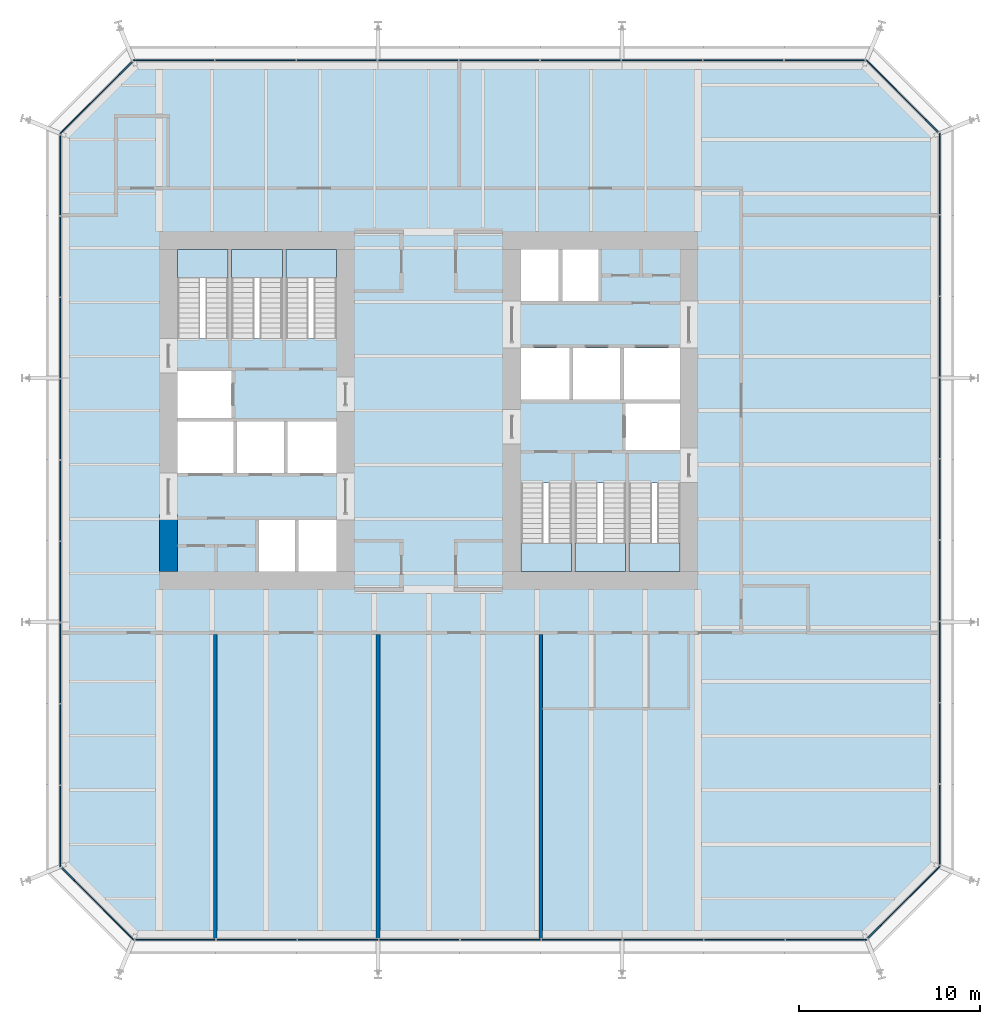
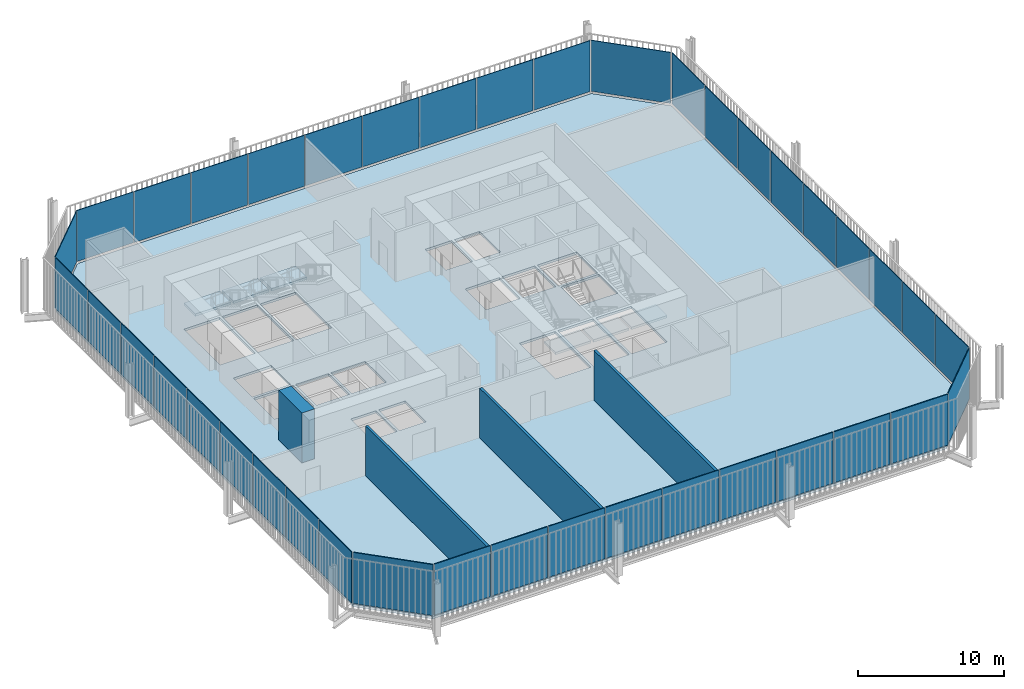
# One storey, part 15 of 20: 40 plates, 7 slabs, 4 walls, 14 elements without a shape of their own.
"""IFC4 building model written with IfcOpenShell, lengths in metres."""

from ifc_helpers import new_model, si_unit, direction, frame, frame_2d, origin, place, context, subcontext, project, spatial, polyline, rectangle, outline, extrude, material, layer, layer_set, type_object, element, aggregate, save


model = new_model("IFC4")

# Units and contexts
model_context = context("Model", 3, precision=1e-05, world=origin(), true_north=direction((0.0, 1.0)))
body_context = subcontext(model_context, "Body", "Model", "MODEL_VIEW")
ifc_project = project(units=[si_unit("LENGTHUNIT", "METRE"), si_unit("AREAUNIT", "SQUARE_METRE"), si_unit("VOLUMEUNIT", "CUBIC_METRE"), si_unit("PLANEANGLEUNIT", "RADIAN"), si_unit("MASSUNIT", "GRAM", prefix="KILO")], contexts=[model_context])

# Site, building, storey
site_placement = place(None, origin())
site = spatial("IfcSite", under=ifc_project, at=site_placement, CompositionType="ELEMENT")
building_placement = place(site_placement, origin())
building = spatial("IfcBuilding", under=site, at=building_placement, Name="Millrace Tower", CompositionType="ELEMENT")
storey_placement = place(building_placement, frame((0.0, 0.0, 108.39990234375)))
storey = spatial("IfcBuildingStorey", under=building, at=storey_placement, Name="L24", CompositionType="ELEMENT", Elevation=108.39990234375)

# Curtain wall, plate
ifc_material_1 = material(Name="Aluminium and glass", Category="aluminium")
ifc_layer_1 = layer(ifc_material_1, 0.14990234375)
ifc_layer_set_1 = layer_set([ifc_layer_1], Name="Aluminium and glass")
curtain_wall_type = type_object("IfcCurtainWallType", Name="CW-3 telecom floor curtain wall", PredefinedType="NOTDEFINED", material=ifc_layer_set_1)
placement_1 = place(storey_placement, origin())
curtain_wall_1 = element("IfcCurtainWall", 1, at=placement_1, inside=storey, type_object=curtain_wall_type, Name="Curtain wall B-F01 L24", PredefinedType="NOTDEFINED")
ifc_material_2 = material(Name="Glass", Category="glass")
ifc_layer_2 = layer(ifc_material_2, 0.06005859375)
ifc_layer_set_2 = layer_set([ifc_layer_2], Name="Glass")
plate_type = type_object("IfcPlateType", Name="CW-3 telecom floor curtain wall triple-glazed panel with spandrel", PredefinedType="CURTAIN_PANEL", material=ifc_layer_set_2)
placement_2 = place(storey_placement, frame((0.0, 0.0, 0.150146484375)))
plate_1 = element("IfcPlate", 2, at=placement_2, type_object=plate_type, Name="CW3 panel B-F01.1", PredefinedType="CURTAIN_PANEL", context=body_context, shape_type="SweptSolid", body=[
    extrude(outline(polyline([(-20.328369140625, -25.3203125), (-16.343505859375, -29.304931640625), (-16.318603515625, -29.2451171875), (-20.285888671875, -25.27783203125), (-20.328369140625, -25.3203125)])), origin(), (0.0, 0.0, 1.0), 4.25),
])
aggregate(curtain_wall_1, [plate_1])

# Curtain wall, plates
curtain_wall_2 = element("IfcCurtainWall", 3, at=placement_1, inside=storey, type_object=curtain_wall_type, Name="Curtain wall B-F02 L24", PredefinedType="NOTDEFINED")
plate_2 = element("IfcPlate", 4, at=placement_2, type_object=plate_type, Name="CW3 panel B-F02.1", PredefinedType="CURTAIN_PANEL", context=body_context, shape_type="SweptSolid", body=[
    extrude(outline(polyline([(-16.235107421875, -29.304931640625), (-11.800048828125, -29.304931640625), (-11.800048828125, -29.2451171875), (-16.235107421875, -29.2451171875), (-16.235107421875, -29.304931640625)])), origin(), (0.0, 0.0, 1.0), 4.25),
])
plate_3 = element("IfcPlate", 5, at=placement_2, type_object=plate_type, Name="CW3 panel B-F02.2", PredefinedType="CURTAIN_PANEL", context=body_context, shape_type="SweptSolid", body=[
    extrude(outline(polyline([(-11.735107421875, -29.304931640625), (-7.300048828125, -29.304931640625), (-7.300048828125, -29.2451171875), (-11.735107421875, -29.2451171875), (-11.735107421875, -29.304931640625)])), origin(), (0.0, 0.0, 1.0), 4.25),
])
plate_4 = element("IfcPlate", 6, at=placement_2, type_object=plate_type, Name="CW3 panel B-F02.3", PredefinedType="CURTAIN_PANEL", context=body_context, shape_type="SweptSolid", body=[
    extrude(outline(polyline([(-7.235107421875, -29.304931640625), (-2.800048828125, -29.304931640625), (-2.800048828125, -29.2451171875), (-7.235107421875, -29.2451171875), (-7.235107421875, -29.304931640625)])), origin(), (0.0, 0.0, 1.0), 4.25),
])
plate_5 = element("IfcPlate", 7, at=placement_2, type_object=plate_type, Name="CW3 panel B-F02.4", PredefinedType="CURTAIN_PANEL", context=body_context, shape_type="SweptSolid", body=[
    extrude(outline(polyline([(-2.735107421875, -29.304931640625), (1.699951171875, -29.304931640625), (1.699951171875, -29.2451171875), (-2.735107421875, -29.2451171875), (-2.735107421875, -29.304931640625)])), origin(), (0.0, 0.0, 1.0), 4.25),
])
plate_6 = element("IfcPlate", 8, at=placement_2, type_object=plate_type, Name="CW3 panel B-F02.5", PredefinedType="CURTAIN_PANEL", context=body_context, shape_type="SweptSolid", body=[
    extrude(outline(polyline([(1.764892578125, -29.304931640625), (6.199951171875, -29.304931640625), (6.199951171875, -29.2451171875), (1.764892578125, -29.2451171875), (1.764892578125, -29.304931640625)])), origin(), (0.0, 0.0, 1.0), 4.25),
])
plate_7 = element("IfcPlate", 9, at=placement_2, type_object=plate_type, Name="CW3 panel B-F02.6", PredefinedType="CURTAIN_PANEL", context=body_context, shape_type="SweptSolid", body=[
    extrude(outline(polyline([(6.264892578125, -29.304931640625), (10.699951171875, -29.304931640625), (10.699951171875, -29.2451171875), (6.264892578125, -29.2451171875), (6.264892578125, -29.304931640625)])), origin(), (0.0, 0.0, 1.0), 4.25),
])
plate_8 = element("IfcPlate", 10, at=placement_2, type_object=plate_type, Name="CW3 panel B-F02.7", PredefinedType="CURTAIN_PANEL", context=body_context, shape_type="SweptSolid", body=[
    extrude(outline(polyline([(10.764892578125, -29.304931640625), (15.199951171875, -29.304931640625), (15.199951171875, -29.2451171875), (10.764892578125, -29.2451171875), (10.764892578125, -29.304931640625)])), origin(), (0.0, 0.0, 1.0), 4.25),
])
plate_9 = element("IfcPlate", 11, at=placement_2, type_object=plate_type, Name="CW3 panel B-F02.8", PredefinedType="CURTAIN_PANEL", context=body_context, shape_type="SweptSolid", body=[
    extrude(outline(polyline([(15.264892578125, -29.304931640625), (19.699951171875, -29.304931640625), (19.699951171875, -29.2451171875), (15.264892578125, -29.2451171875), (15.264892578125, -29.304931640625)])), origin(), (0.0, 0.0, 1.0), 4.25),
])
plate_10 = element("IfcPlate", 12, at=placement_2, type_object=plate_type, Name="CW3 panel B-F02.9", PredefinedType="CURTAIN_PANEL", context=body_context, shape_type="SweptSolid", body=[
    extrude(outline(polyline([(19.764892578125, -29.304931640625), (24.243408203125, -29.304931640625), (24.21875, -29.2451171875), (19.764892578125, -29.2451171875), (19.764892578125, -29.304931640625)])), origin(), (0.0, 0.0, 1.0), 4.25),
])
aggregate(curtain_wall_2, [plate_2, plate_3, plate_4, plate_5, plate_6, plate_7, plate_8, plate_9, plate_10])

# Curtain wall, plate
curtain_wall_3 = element("IfcCurtainWall", 13, at=placement_1, inside=storey, type_object=curtain_wall_type, Name="Curtain wall B-F03 L24", PredefinedType="NOTDEFINED")
plate_11 = element("IfcPlate", 14, at=placement_2, type_object=plate_type, Name="CW3 panel B-F03.1", PredefinedType="CURTAIN_PANEL", context=body_context, shape_type="SweptSolid", body=[
    extrude(outline(polyline([(24.3203125, -29.228271484375), (28.304931640625, -25.243408203125), (28.2451171875, -25.21875), (24.27783203125, -29.185791015625), (24.3203125, -29.228271484375)])), origin(), (0.0, 0.0, 1.0), 4.25),
])
aggregate(curtain_wall_3, [plate_11])

# Curtain wall, plates
curtain_wall_4 = element("IfcCurtainWall", 15, at=placement_1, inside=storey, type_object=curtain_wall_type, Name="Curtain wall B-F04 L24", PredefinedType="NOTDEFINED")
plate_12 = element("IfcPlate", 16, at=placement_2, type_object=plate_type, Name="CW3 panel B-F04.1", PredefinedType="CURTAIN_PANEL", context=body_context, shape_type="SweptSolid", body=[
    extrude(outline(polyline([(28.304931640625, -25.135009765625), (28.304931640625, -20.699951171875), (28.2451171875, -20.699951171875), (28.2451171875, -25.135009765625), (28.304931640625, -25.135009765625)])), origin(), (0.0, 0.0, 1.0), 4.25),
])
plate_13 = element("IfcPlate", 17, at=placement_2, type_object=plate_type, Name="CW3 panel B-F04.2", PredefinedType="CURTAIN_PANEL", context=body_context, shape_type="SweptSolid", body=[
    extrude(outline(polyline([(28.304931640625, -20.635009765625), (28.304931640625, -16.199951171875), (28.2451171875, -16.199951171875), (28.2451171875, -20.635009765625), (28.304931640625, -20.635009765625)])), origin(), (0.0, 0.0, 1.0), 4.25),
])
plate_14 = element("IfcPlate", 18, at=placement_2, type_object=plate_type, Name="CW3 panel B-F04.3", PredefinedType="CURTAIN_PANEL", context=body_context, shape_type="SweptSolid", body=[
    extrude(outline(polyline([(28.304931640625, -16.135009765625), (28.304931640625, -11.699951171875), (28.2451171875, -11.699951171875), (28.2451171875, -16.135009765625), (28.304931640625, -16.135009765625)])), origin(), (0.0, 0.0, 1.0), 4.25),
])
plate_15 = element("IfcPlate", 19, at=placement_2, type_object=plate_type, Name="CW3 panel B-F04.4", PredefinedType="CURTAIN_PANEL", context=body_context, shape_type="SweptSolid", body=[
    extrude(outline(polyline([(28.304931640625, -11.635009765625), (28.304931640625, -7.199951171875), (28.2451171875, -7.199951171875), (28.2451171875, -11.635009765625), (28.304931640625, -11.635009765625)])), origin(), (0.0, 0.0, 1.0), 4.25),
])
plate_16 = element("IfcPlate", 20, at=placement_2, type_object=plate_type, Name="CW3 panel B-F04.5", PredefinedType="CURTAIN_PANEL", context=body_context, shape_type="SweptSolid", body=[
    extrude(outline(polyline([(28.304931640625, -7.135009765625), (28.304931640625, -2.699951171875), (28.2451171875, -2.699951171875), (28.2451171875, -7.135009765625), (28.304931640625, -7.135009765625)])), origin(), (0.0, 0.0, 1.0), 4.25),
])
plate_17 = element("IfcPlate", 21, at=placement_2, type_object=plate_type, Name="CW3 panel B-F04.6", PredefinedType="CURTAIN_PANEL", context=body_context, shape_type="SweptSolid", body=[
    extrude(outline(polyline([(28.304931640625, -2.635009765625), (28.304931640625, 1.800048828125), (28.2451171875, 1.800048828125), (28.2451171875, -2.635009765625), (28.304931640625, -2.635009765625)])), origin(), (0.0, 0.0, 1.0), 4.25),
])
plate_18 = element("IfcPlate", 22, at=placement_2, type_object=plate_type, Name="CW3 panel B-F04.7", PredefinedType="CURTAIN_PANEL", context=body_context, shape_type="SweptSolid", body=[
    extrude(outline(polyline([(28.304931640625, 1.864990234375), (28.304931640625, 6.300048828125), (28.2451171875, 6.300048828125), (28.2451171875, 1.864990234375), (28.304931640625, 1.864990234375)])), origin(), (0.0, 0.0, 1.0), 4.25),
])
plate_19 = element("IfcPlate", 23, at=placement_2, type_object=plate_type, Name="CW3 panel B-F04.8", PredefinedType="CURTAIN_PANEL", context=body_context, shape_type="SweptSolid", body=[
    extrude(outline(polyline([(28.304931640625, 6.364990234375), (28.304931640625, 10.800048828125), (28.2451171875, 10.800048828125), (28.2451171875, 6.364990234375), (28.304931640625, 6.364990234375)])), origin(), (0.0, 0.0, 1.0), 4.25),
])
plate_20 = element("IfcPlate", 24, at=placement_2, type_object=plate_type, Name="CW3 panel B-F04.9", PredefinedType="CURTAIN_PANEL", context=body_context, shape_type="SweptSolid", body=[
    extrude(outline(polyline([(28.304931640625, 10.864990234375), (28.304931640625, 15.343505859375), (28.2451171875, 15.318603515625), (28.2451171875, 10.864990234375), (28.304931640625, 10.864990234375)])), origin(), (0.0, 0.0, 1.0), 4.25),
])
aggregate(curtain_wall_4, [plate_12, plate_13, plate_14, plate_15, plate_16, plate_17, plate_18, plate_19, plate_20])

# Curtain wall, plate
curtain_wall_5 = element("IfcCurtainWall", 25, at=placement_1, inside=storey, type_object=curtain_wall_type, Name="Curtain wall B-F05 L24", PredefinedType="NOTDEFINED")
plate_21 = element("IfcPlate", 26, at=placement_2, type_object=plate_type, Name="CW3 panel B-F05.1", PredefinedType="CURTAIN_PANEL", context=body_context, shape_type="SweptSolid", body=[
    extrude(outline(polyline([(28.228271484375, 15.420166015625), (24.243408203125, 19.405029296875), (24.21875, 19.344970703125), (28.185791015625, 15.377685546875), (28.228271484375, 15.420166015625)])), origin(), (0.0, 0.0, 1.0), 4.25),
])
aggregate(curtain_wall_5, [plate_21])

# Curtain wall, plates
curtain_wall_6 = element("IfcCurtainWall", 27, at=placement_1, inside=storey, type_object=curtain_wall_type, Name="Curtain wall B-F06 L24", PredefinedType="NOTDEFINED")
plate_22 = element("IfcPlate", 28, at=placement_2, type_object=plate_type, Name="CW3 panel B-F06.1", PredefinedType="CURTAIN_PANEL", context=body_context, shape_type="SweptSolid", body=[
    extrude(outline(polyline([(24.135009765625, 19.405029296875), (19.699951171875, 19.405029296875), (19.699951171875, 19.344970703125), (24.135009765625, 19.344970703125), (24.135009765625, 19.405029296875)])), origin(), (0.0, 0.0, 1.0), 4.25),
])
plate_23 = element("IfcPlate", 29, at=placement_2, type_object=plate_type, Name="CW3 panel B-F06.2", PredefinedType="CURTAIN_PANEL", context=body_context, shape_type="SweptSolid", body=[
    extrude(outline(polyline([(19.635009765625, 19.405029296875), (15.199951171875, 19.405029296875), (15.199951171875, 19.344970703125), (19.635009765625, 19.344970703125), (19.635009765625, 19.405029296875)])), origin(), (0.0, 0.0, 1.0), 4.25),
])
plate_24 = element("IfcPlate", 30, at=placement_2, type_object=plate_type, Name="CW3 panel B-F06.3", PredefinedType="CURTAIN_PANEL", context=body_context, shape_type="SweptSolid", body=[
    extrude(outline(polyline([(15.135009765625, 19.405029296875), (10.699951171875, 19.405029296875), (10.699951171875, 19.344970703125), (15.135009765625, 19.344970703125), (15.135009765625, 19.405029296875)])), origin(), (0.0, 0.0, 1.0), 4.25),
])
plate_25 = element("IfcPlate", 31, at=placement_2, type_object=plate_type, Name="CW3 panel B-F06.4", PredefinedType="CURTAIN_PANEL", context=body_context, shape_type="SweptSolid", body=[
    extrude(outline(polyline([(10.635009765625, 19.405029296875), (6.199951171875, 19.405029296875), (6.199951171875, 19.344970703125), (10.635009765625, 19.344970703125), (10.635009765625, 19.405029296875)])), origin(), (0.0, 0.0, 1.0), 4.25),
])
plate_26 = element("IfcPlate", 32, at=placement_2, type_object=plate_type, Name="CW3 panel B-F06.5", PredefinedType="CURTAIN_PANEL", context=body_context, shape_type="SweptSolid", body=[
    extrude(outline(polyline([(6.135009765625, 19.405029296875), (1.699951171875, 19.405029296875), (1.699951171875, 19.344970703125), (6.135009765625, 19.344970703125), (6.135009765625, 19.405029296875)])), origin(), (0.0, 0.0, 1.0), 4.25),
])
plate_27 = element("IfcPlate", 33, at=placement_2, type_object=plate_type, Name="CW3 panel B-F06.6", PredefinedType="CURTAIN_PANEL", context=body_context, shape_type="SweptSolid", body=[
    extrude(outline(polyline([(1.635009765625, 19.405029296875), (-2.800048828125, 19.405029296875), (-2.800048828125, 19.344970703125), (1.635009765625, 19.344970703125), (1.635009765625, 19.405029296875)])), origin(), (0.0, 0.0, 1.0), 4.25),
])
plate_28 = element("IfcPlate", 34, at=placement_2, type_object=plate_type, Name="CW3 panel B-F06.7", PredefinedType="CURTAIN_PANEL", context=body_context, shape_type="SweptSolid", body=[
    extrude(outline(polyline([(-2.864990234375, 19.405029296875), (-7.300048828125, 19.405029296875), (-7.300048828125, 19.344970703125), (-2.864990234375, 19.344970703125), (-2.864990234375, 19.405029296875)])), origin(), (0.0, 0.0, 1.0), 4.25),
])
plate_29 = element("IfcPlate", 35, at=placement_2, type_object=plate_type, Name="CW3 panel B-F06.8", PredefinedType="CURTAIN_PANEL", context=body_context, shape_type="SweptSolid", body=[
    extrude(outline(polyline([(-7.364990234375, 19.405029296875), (-11.800048828125, 19.405029296875), (-11.800048828125, 19.344970703125), (-7.364990234375, 19.344970703125), (-7.364990234375, 19.405029296875)])), origin(), (0.0, 0.0, 1.0), 4.25),
])
plate_30 = element("IfcPlate", 36, at=placement_2, type_object=plate_type, Name="CW3 panel B-F06.9", PredefinedType="CURTAIN_PANEL", context=body_context, shape_type="SweptSolid", body=[
    extrude(outline(polyline([(-11.864990234375, 19.405029296875), (-16.343505859375, 19.405029296875), (-16.318603515625, 19.344970703125), (-11.864990234375, 19.344970703125), (-11.864990234375, 19.405029296875)])), origin(), (0.0, 0.0, 1.0), 4.25),
])
aggregate(curtain_wall_6, [plate_22, plate_23, plate_24, plate_25, plate_26, plate_27, plate_28, plate_29, plate_30])

# Curtain wall, plate
curtain_wall_7 = element("IfcCurtainWall", 37, at=placement_1, inside=storey, type_object=curtain_wall_type, Name="Curtain wall B-F07 L24", PredefinedType="NOTDEFINED")
plate_31 = element("IfcPlate", 38, at=placement_2, type_object=plate_type, Name="CW3 panel B-F07.1", PredefinedType="CURTAIN_PANEL", context=body_context, shape_type="SweptSolid", body=[
    extrude(outline(polyline([(-16.420166015625, 19.328369140625), (-20.405029296875, 15.343505859375), (-20.344970703125, 15.318603515625), (-16.377685546875, 19.285888671875), (-16.420166015625, 19.328369140625)])), origin(), (0.0, 0.0, 1.0), 4.25),
])
aggregate(curtain_wall_7, [plate_31])

# Curtain wall, plates
curtain_wall_8 = element("IfcCurtainWall", 39, at=placement_1, inside=storey, type_object=curtain_wall_type, Name="Curtain wall B-F08 L24", PredefinedType="NOTDEFINED")
plate_32 = element("IfcPlate", 40, at=placement_2, type_object=plate_type, Name="CW3 panel B-F08.1", PredefinedType="CURTAIN_PANEL", context=body_context, shape_type="SweptSolid", body=[
    extrude(outline(polyline([(-20.405029296875, 15.235107421875), (-20.405029296875, 10.800048828125), (-20.344970703125, 10.800048828125), (-20.344970703125, 15.235107421875), (-20.405029296875, 15.235107421875)])), origin(), (0.0, 0.0, 1.0), 4.25),
])
plate_33 = element("IfcPlate", 41, at=placement_2, type_object=plate_type, Name="CW3 panel B-F08.2", PredefinedType="CURTAIN_PANEL", context=body_context, shape_type="SweptSolid", body=[
    extrude(outline(polyline([(-20.405029296875, 10.735107421875), (-20.405029296875, 6.300048828125), (-20.344970703125, 6.300048828125), (-20.344970703125, 10.735107421875), (-20.405029296875, 10.735107421875)])), origin(), (0.0, 0.0, 1.0), 4.25),
])
plate_34 = element("IfcPlate", 42, at=placement_2, type_object=plate_type, Name="CW3 panel B-F08.3", PredefinedType="CURTAIN_PANEL", context=body_context, shape_type="SweptSolid", body=[
    extrude(outline(polyline([(-20.405029296875, 6.235107421875), (-20.405029296875, 1.800048828125), (-20.344970703125, 1.800048828125), (-20.344970703125, 6.235107421875), (-20.405029296875, 6.235107421875)])), origin(), (0.0, 0.0, 1.0), 4.25),
])
plate_35 = element("IfcPlate", 43, at=placement_2, type_object=plate_type, Name="CW3 panel B-F08.4", PredefinedType="CURTAIN_PANEL", context=body_context, shape_type="SweptSolid", body=[
    extrude(outline(polyline([(-20.405029296875, 1.735107421875), (-20.405029296875, -2.699951171875), (-20.344970703125, -2.699951171875), (-20.344970703125, 1.735107421875), (-20.405029296875, 1.735107421875)])), origin(), (0.0, 0.0, 1.0), 4.25),
])
plate_36 = element("IfcPlate", 44, at=placement_2, type_object=plate_type, Name="CW3 panel B-F08.5", PredefinedType="CURTAIN_PANEL", context=body_context, shape_type="SweptSolid", body=[
    extrude(outline(polyline([(-20.405029296875, -2.764892578125), (-20.405029296875, -7.199951171875), (-20.344970703125, -7.199951171875), (-20.344970703125, -2.764892578125), (-20.405029296875, -2.764892578125)])), origin(), (0.0, 0.0, 1.0), 4.25),
])
plate_37 = element("IfcPlate", 45, at=placement_2, type_object=plate_type, Name="CW3 panel B-F08.6", PredefinedType="CURTAIN_PANEL", context=body_context, shape_type="SweptSolid", body=[
    extrude(outline(polyline([(-20.405029296875, -7.264892578125), (-20.405029296875, -11.699951171875), (-20.344970703125, -11.699951171875), (-20.344970703125, -7.264892578125), (-20.405029296875, -7.264892578125)])), origin(), (0.0, 0.0, 1.0), 4.25),
])
plate_38 = element("IfcPlate", 46, at=placement_2, type_object=plate_type, Name="CW3 panel B-F08.7", PredefinedType="CURTAIN_PANEL", context=body_context, shape_type="SweptSolid", body=[
    extrude(outline(polyline([(-20.405029296875, -11.764892578125), (-20.405029296875, -16.199951171875), (-20.344970703125, -16.199951171875), (-20.344970703125, -11.764892578125), (-20.405029296875, -11.764892578125)])), origin(), (0.0, 0.0, 1.0), 4.25),
])
plate_39 = element("IfcPlate", 47, at=placement_2, type_object=plate_type, Name="CW3 panel B-F08.8", PredefinedType="CURTAIN_PANEL", context=body_context, shape_type="SweptSolid", body=[
    extrude(outline(polyline([(-20.405029296875, -16.264892578125), (-20.405029296875, -20.699951171875), (-20.344970703125, -20.699951171875), (-20.344970703125, -16.264892578125), (-20.405029296875, -16.264892578125)])), origin(), (0.0, 0.0, 1.0), 4.25),
])
plate_40 = element("IfcPlate", 48, at=placement_2, type_object=plate_type, Name="CW3 panel B-F08.9", PredefinedType="CURTAIN_PANEL", context=body_context, shape_type="SweptSolid", body=[
    extrude(outline(polyline([(-20.405029296875, -20.764892578125), (-20.405029296875, -25.243408203125), (-20.344970703125, -25.21875), (-20.344970703125, -20.764892578125), (-20.405029296875, -20.764892578125)])), origin(), (0.0, 0.0, 1.0), 4.25),
])
aggregate(curtain_wall_8, [plate_32, plate_33, plate_34, plate_35, plate_36, plate_37, plate_38, plate_39, plate_40])

# Slab
ifc_material_3 = material(Name="Concrete C35 on steel deck", Category="concrete")
ifc_layer_3 = layer(ifc_material_3, 0.199951171875)
ifc_layer_set_3 = layer_set([ifc_layer_3], Name="Concrete C35 on steel deck")
slab_type_1 = type_object("IfcSlabType", Name="Composite floor slab 200 mm", PredefinedType="FLOOR", material=ifc_layer_set_3)
slab_1_placement = place(storey_placement, frame((0.0, 0.0, -0.199951171875)))
element("IfcSlab", 49, at=slab_1_placement, inside=storey, type_object=slab_type_1, Name="SL-B-L24-S1", PredefinedType="FLOOR", context=body_context, shape_type="SweptSolid", body=[
    extrude(outline(polyline([(-20.300048828125, -25.199951171875), (-16.300048828125, -29.199951171875), (24.199951171875, -29.199951171875), (28.199951171875, -25.199951171875), (28.199951171875, 15.300048828125), (24.199951171875, 19.300048828125), (-16.300048828125, 19.300048828125), (-20.300048828125, 15.300048828125), (-20.300048828125, -25.199951171875)]), holes=[polyline([(-9.39990234375, -8.89990234375), (-7.39990234375, -8.89990234375), (-7.39990234375, -6.050048828125), (-9.39990234375, -6.050048828125), (-9.39990234375, -8.89990234375)]), polyline([(-7.199951171875, -8.89990234375), (-5.10009765625, -8.89990234375), (-5.10009765625, -6.050048828125), (-7.199951171875, -6.050048828125), (-7.199951171875, -8.89990234375)]), polyline([(-13.89990234375, -3.449951171875), (-10.800048828125, -3.449951171875), (-10.800048828125, -0.60009765625), (-13.89990234375, -0.60009765625), (-13.89990234375, -3.449951171875)]), polyline([(-10.60009765625, -3.449951171875), (-8.0, -3.449951171875), (-8.0, -0.60009765625), (-10.60009765625, -0.60009765625), (-10.60009765625, -3.449951171875)]), polyline([(-7.800048828125, -3.449951171875), (-5.10009765625, -3.449951171875), (-5.10009765625, -0.60009765625), (-7.800048828125, -0.60009765625), (-7.800048828125, -3.449951171875)]), polyline([(-13.89990234375, -0.39990234375), (-10.89990234375, -0.39990234375), (-10.89990234375, 2.179931640625), (-13.89990234375, 2.179931640625), (-13.89990234375, -0.39990234375)]), polyline([(-13.89990234375, 4.0), (-11.10009765625, 4.0), (-11.10009765625, 8.89990234375), (-13.89990234375, 8.89990234375), (-13.89990234375, 4.0)]), polyline([(-10.89990234375, 4.0), (-8.10009765625, 4.0), (-8.10009765625, 8.89990234375), (-10.89990234375, 8.89990234375), (-10.89990234375, 4.0)]), polyline([(-7.89990234375, 4.0), (-5.10009765625, 4.0), (-5.10009765625, 8.89990234375), (-7.89990234375, 8.89990234375), (-7.89990234375, 4.0)]), polyline([(7.39990234375, 6.050048828125), (9.39990234375, 6.050048828125), (9.39990234375, 8.89990234375), (7.39990234375, 8.89990234375), (7.39990234375, 6.050048828125)]), polyline([(5.10009765625, 6.050048828125), (7.199951171875, 6.050048828125), (7.199951171875, 8.89990234375), (5.10009765625, 8.89990234375), (5.10009765625, 6.050048828125)]), polyline([(10.800048828125, 0.60009765625), (13.89990234375, 0.60009765625), (13.89990234375, 3.449951171875), (10.800048828125, 3.449951171875), (10.800048828125, 0.60009765625)]), polyline([(8.0, 0.60009765625), (10.60009765625, 0.60009765625), (10.60009765625, 3.449951171875), (8.0, 3.449951171875), (8.0, 0.60009765625)]), polyline([(5.10009765625, 0.60009765625), (7.800048828125, 0.60009765625), (7.800048828125, 3.449951171875), (5.10009765625, 3.449951171875), (5.10009765625, 0.60009765625)]), polyline([(10.89990234375, -2.179931640625), (13.89990234375, -2.179931640625), (13.89990234375, 0.39990234375), (10.89990234375, 0.39990234375), (10.89990234375, -2.179931640625)]), polyline([(11.10009765625, -8.89990234375), (13.89990234375, -8.89990234375), (13.89990234375, -4.0), (11.10009765625, -4.0), (11.10009765625, -8.89990234375)]), polyline([(8.10009765625, -8.89990234375), (10.89990234375, -8.89990234375), (10.89990234375, -4.0), (8.10009765625, -4.0), (8.10009765625, -8.89990234375)]), polyline([(5.10009765625, -8.89990234375), (7.89990234375, -8.89990234375), (7.89990234375, -4.0), (5.10009765625, -4.0), (5.10009765625, -8.89990234375)])]), origin(), (0.0, 0.0, 1.0), 0.199951171875),
])

# Stair, slab
ifc_material_4 = material(Name="Concrete C35", Category="concrete")
stair_type = type_object("IfcStairType", Name="Exit stair", PredefinedType="HALF_TURN_STAIR", material=ifc_material_4)
stair_1 = element("IfcStair", 50, at=placement_1, inside=storey, type_object=stair_type, Name="Stair 1 W L24", PredefinedType="HALF_TURN_STAIR")
ifc_material_5 = material(Name="Concrete C40", Category="concrete")
ifc_layer_4 = layer(ifc_material_5, 0.199951171875)
ifc_layer_set_4 = layer_set([ifc_layer_4], Name="Concrete C40")
slab_type_2 = type_object("IfcSlabType", Name="Stair landing", PredefinedType="LANDING", material=ifc_layer_set_4)
placement_3 = place(storey_placement, frame((0.0, 0.0, 2.0)))
slab_2 = element("IfcSlab", 51, at=placement_3, type_object=slab_type_2, Name="ST12 landing 1", PredefinedType="LANDING", context=body_context, shape_type="SweptSolid", body=[
    extrude(outline(polyline([(-13.89990234375, 7.360107421875), (-11.10009765625, 7.360107421875), (-11.10009765625, 8.89990234375), (-13.89990234375, 8.89990234375), (-13.89990234375, 7.360107421875)])), origin(), (0.0, 0.0, 1.0), 0.2001953125),
])
aggregate(stair_1, [slab_2])

stair_2 = element("IfcStair", 52, at=placement_1, inside=storey, type_object=stair_type, Name="Stair 2 W L24", PredefinedType="HALF_TURN_STAIR")
slab_3 = element("IfcSlab", 53, at=placement_3, type_object=slab_type_2, Name="ST12 landing 1", PredefinedType="LANDING", context=body_context, shape_type="SweptSolid", body=[
    extrude(outline(polyline([(-10.89990234375, 7.360107421875), (-8.10009765625, 7.360107421875), (-8.10009765625, 8.89990234375), (-10.89990234375, 8.89990234375), (-10.89990234375, 7.360107421875)])), origin(), (0.0, 0.0, 1.0), 0.2001953125),
])
aggregate(stair_2, [slab_3])

stair_3 = element("IfcStair", 54, at=placement_1, inside=storey, type_object=stair_type, Name="Stair 3 W L24", PredefinedType="HALF_TURN_STAIR")
slab_4 = element("IfcSlab", 55, at=placement_3, type_object=slab_type_2, Name="ST12 landing 1", PredefinedType="LANDING", context=body_context, shape_type="SweptSolid", body=[
    extrude(outline(polyline([(-7.89990234375, 7.360107421875), (-5.10009765625, 7.360107421875), (-5.10009765625, 8.89990234375), (-7.89990234375, 8.89990234375), (-7.89990234375, 7.360107421875)])), origin(), (0.0, 0.0, 1.0), 0.2001953125),
])
aggregate(stair_3, [slab_4])

stair_4 = element("IfcStair", 56, at=placement_1, inside=storey, type_object=stair_type, Name="Stair 1 E L24", PredefinedType="HALF_TURN_STAIR")
slab_5 = element("IfcSlab", 57, at=placement_3, type_object=slab_type_2, Name="ST12 landing 1", PredefinedType="LANDING", context=body_context, shape_type="SweptSolid", body=[
    extrude(outline(polyline([(11.10009765625, -8.89990234375), (13.89990234375, -8.89990234375), (13.89990234375, -7.360107421875), (11.10009765625, -7.360107421875), (11.10009765625, -8.89990234375)])), origin(), (0.0, 0.0, 1.0), 0.2001953125),
])
aggregate(stair_4, [slab_5])

stair_5 = element("IfcStair", 58, at=placement_1, inside=storey, type_object=stair_type, Name="Stair 2 E L24", PredefinedType="HALF_TURN_STAIR")
slab_6 = element("IfcSlab", 59, at=placement_3, type_object=slab_type_2, Name="ST12 landing 1", PredefinedType="LANDING", context=body_context, shape_type="SweptSolid", body=[
    extrude(outline(polyline([(8.10009765625, -8.89990234375), (10.89990234375, -8.89990234375), (10.89990234375, -7.360107421875), (8.10009765625, -7.360107421875), (8.10009765625, -8.89990234375)])), origin(), (0.0, 0.0, 1.0), 0.2001953125),
])
aggregate(stair_5, [slab_6])

stair_6 = element("IfcStair", 60, at=placement_1, inside=storey, type_object=stair_type, Name="Stair 3 E L24", PredefinedType="HALF_TURN_STAIR")
slab_7 = element("IfcSlab", 61, at=placement_3, type_object=slab_type_2, Name="ST12 landing 1", PredefinedType="LANDING", context=body_context, shape_type="SweptSolid", body=[
    extrude(outline(polyline([(5.10009765625, -8.89990234375), (7.89990234375, -8.89990234375), (7.89990234375, -7.360107421875), (5.10009765625, -7.360107421875), (5.10009765625, -8.89990234375)])), origin(), (0.0, 0.0, 1.0), 0.2001953125),
])
aggregate(stair_6, [slab_7])

# Walls
ifc_material_6 = material(Name="Concrete C80", Category="concrete")
ifc_layer_5 = layer(ifc_material_6, 1.0)
ifc_layer_set_5 = layer_set([ifc_layer_5], Name="Concrete C80")
wall_type_1 = type_object("IfcWallType", Name="Core wall 1000 Concrete C80", PredefinedType="SHEAR", material=ifc_layer_set_5)
wall_placement = place(storey_placement, frame((-14.39990234375, -8.89990234375, 0.0), z_axis=(0.0, 0.0, 1.0), x_axis=(0.0, 1.0, 0.0)))
element("IfcWall", 62, at=wall_placement, inside=storey, type_object=wall_type_1, Name="Core wall W L24", PredefinedType="SHEAR", context=body_context, shape_type="SweptSolid", body=[
    extrude(rectangle(XDim=3.14990234375, YDim=1.0, at=frame_2d((1.574951171875, 0.0))), origin(), (0.0, 0.0, 1.0), 4.150146484375),
])
ifc_material_7 = material(Name="Masonry partition, fire-rated", Category="masonry")
ifc_layer_6 = layer(ifc_material_7, 0.199951171875)
ifc_layer_set_6 = layer_set([ifc_layer_6], Name="Masonry partition, fire-rated")
wall_type_2 = type_object("IfcWallType", Name="Corridor wall 200", PredefinedType="PARTITIONING", material=ifc_layer_set_6)
for number, where, z_axis, x_axis, name in (
    (63, (6.199951171875, -29.22998046875, 0.0), (0.0, 0.0, 1.0), (0.0, 1.0, 0.0), "Corridor wall L24"),
    (64, (-2.800048828125, -29.22998046875, 0.0), (0.0, 0.0, 1.0), (0.0, 1.0, 0.0), "Corridor wall L24"),
    (65, (-11.800048828125, -29.22998046875, 0.0), (0.0, 0.0, 1.0), (0.0, 1.0, 0.0), "Corridor wall L24"),
):
    element("IfcWall", number, at=place(storey_placement, frame(where, z_axis=z_axis, x_axis=x_axis)), inside=storey, type_object=wall_type_2, Name=name, PredefinedType="PARTITIONING", context=body_context, shape_type="SweptSolid", body=[
        extrude(rectangle(XDim=16.830078125, YDim=0.199951171875, at=frame_2d((8.4150390625, 0.0))), origin(), (0.0, 0.0, 1.0), 4.150146484375),
    ])

save(model, "model.ifc")
